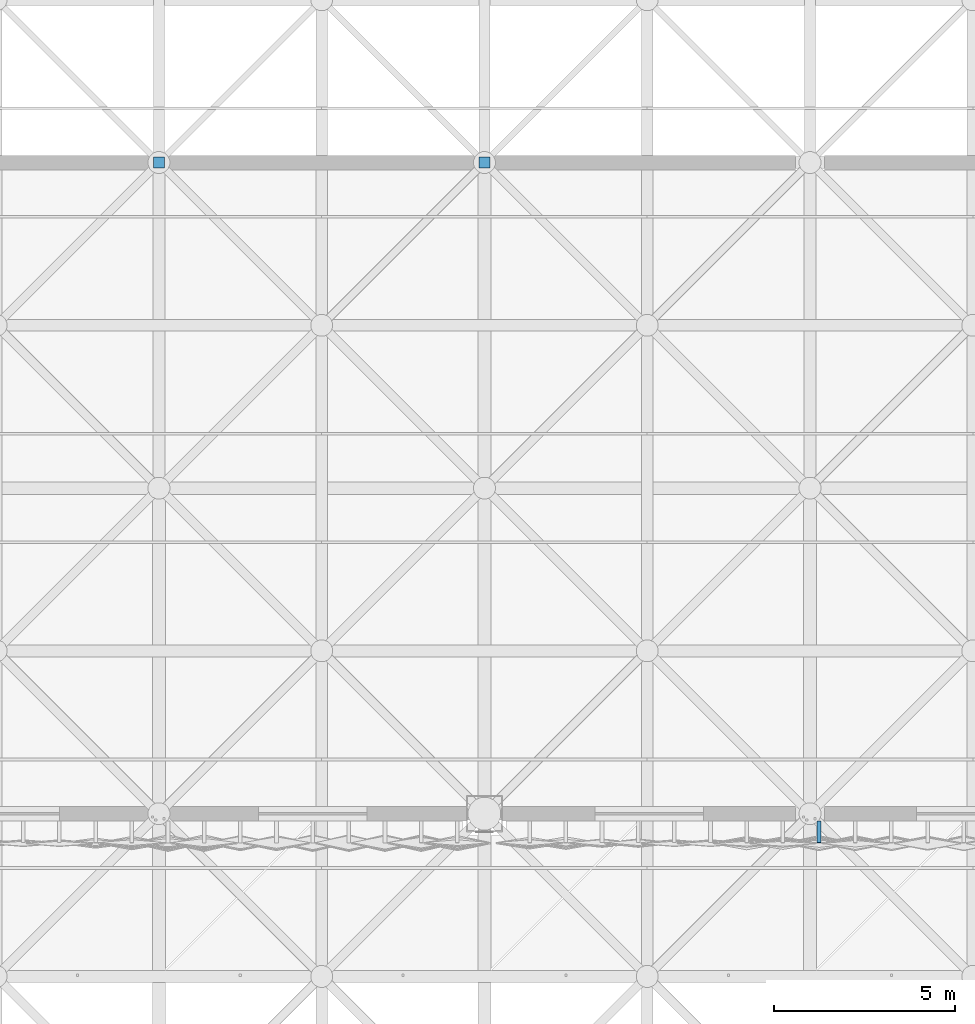
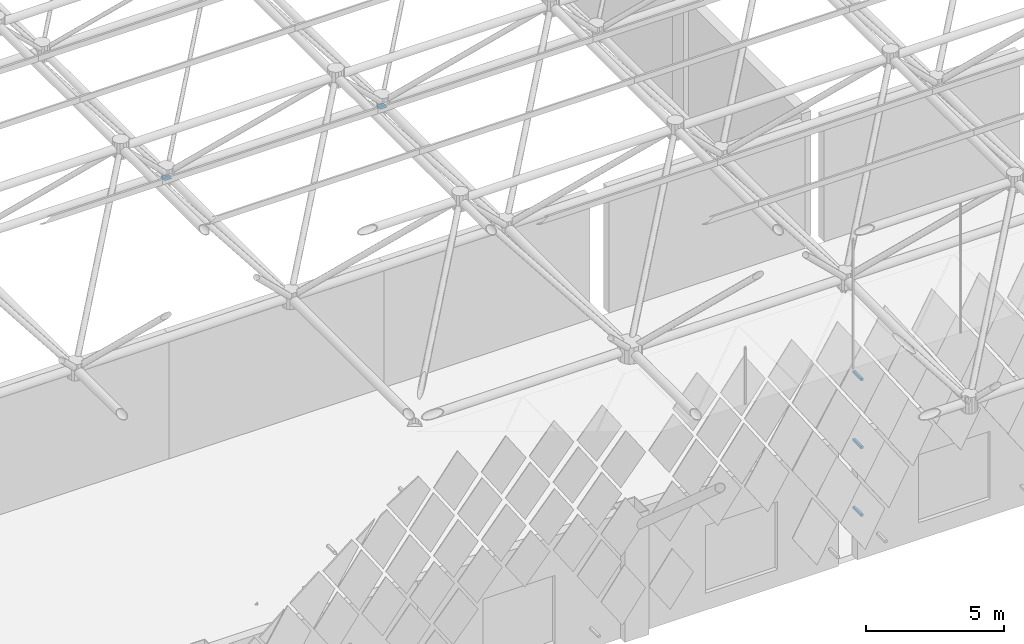
# One storey, part 369 of 437: 5 discrete accessories.
"""IFC4 building model written with IfcOpenShell, lengths in metres."""

from ifc_helpers import new_model, si_unit, direction, frame, origin, origin_2d, place, context, subcontext, project, spatial, polyline, rectangle, outline, extrude, material, layer, layer_set, type_object, element, save


model = new_model("IFC4")

# Units and contexts
model_context = context("Model", 3, precision=1e-05, world=origin(), true_north=direction((0.0, 1.0)))
body_context = subcontext(model_context, "Body", "Model", "MODEL_VIEW")
ifc_project = project(units=[si_unit("LENGTHUNIT", "METRE"), si_unit("AREAUNIT", "SQUARE_METRE"), si_unit("VOLUMEUNIT", "CUBIC_METRE"), si_unit("PLANEANGLEUNIT", "RADIAN"), si_unit("MASSUNIT", "GRAM", prefix="KILO")], contexts=[model_context])

# Site, building, storey
site_placement = place(None, origin())
site = spatial("IfcSite", under=ifc_project, at=site_placement, CompositionType="ELEMENT")
building_placement = place(site_placement, origin())
building = spatial("IfcBuilding", under=site, at=building_placement, Name="Opaline Strait Convention Centre", CompositionType="ELEMENT")
storey_placement = place(building_placement, frame((0.0, 0.0, 11.5)))
storey = spatial("IfcBuildingStorey", under=building, at=storey_placement, Name="L02", CompositionType="ELEMENT", Elevation=11.5)

# Discrete accessories
ifc_material = material(Name="Steel Q355B", Category="steel")
ifc_layer = layer(ifc_material, 0.02001953125)
ifc_layer_set = layer_set([ifc_layer], Name="Steel Q355B")
discrete_accessory_type_1 = type_object("IfcDiscreteAccessoryType", Name="Cast-in anchor plate 300 x 300 x 20", PredefinedType="ANCHORPLATE", material=ifc_layer_set)
for number, where, z_axis, x_axis, name in (
    (1, (180.0, 72.0, 12.305419921875), (0.0, 0.0, 1.0), (1.0, 0.0, 0.0), "Cast-in anchor plate at the Hall south wall, web ends at 180"),
    (2, (189.0, 72.0, 12.305419921875), (0.0, 0.0, 1.0), (1.0, 0.0, 0.0), "Cast-in anchor plate at the Hall south wall, web ends at 189"),
):
    element("IfcDiscreteAccessory", number, at=place(storey_placement, frame(where, z_axis=z_axis, x_axis=x_axis)), inside=storey, type_object=discrete_accessory_type_1, Name=name, PredefinedType="ANCHORPLATE", context=body_context, shape_type="SweptSolid", body=[
        extrude(rectangle(XDim=0.300048828125, YDim=0.300048828125, at=origin_2d()), origin(), (0.0, 0.0, 1.0), 0.02001953125),
    ])
discrete_accessory_type_2 = type_object("IfcDiscreteAccessoryType", Name="Tile bracket 100x100 steel", PredefinedType="BRACKET", material=ifc_material)
discrete_accessory_1_placement = place(storey_placement, frame((198.199951171875, 53.800048828125, 2.39208984375), z_axis=(1.0, 0.0, 0.0), x_axis=(0.0, 1.0, 0.0)))
element("IfcDiscreteAccessory", 3, at=discrete_accessory_1_placement, inside=storey, type_object=discrete_accessory_type_2, Name="Tile bracket XT16 S", PredefinedType="BRACKET", context=body_context, shape_type="SweptSolid", body=[
    extrude(outline(polyline([(0.0, -0.050048828125), (0.0, 0.050048828125), (-0.593017578125, 0.050048828125), (-0.60693359375, -0.050048828125), (0.0, -0.050048828125)])), origin(), (0.0, 0.0, 1.0), 0.10009765625),
])
discrete_accessory_2_placement = place(storey_placement, frame((198.199951171875, 53.800048828125, 5.39208984375), z_axis=(1.0, 0.0, 0.0), x_axis=(0.0, 1.0, 0.0)))
element("IfcDiscreteAccessory", 4, at=discrete_accessory_2_placement, inside=storey, type_object=discrete_accessory_type_2, Name="Tile bracket XT13 S", PredefinedType="BRACKET", context=body_context, shape_type="SweptSolid", body=[
    extrude(outline(polyline([(0.0, -0.050048828125), (0.0, 0.050048828125), (-0.59423828125, 0.050048828125), (-0.605712890625, -0.050048828125), (0.0, -0.050048828125)])), origin(), (0.0, 0.0, 1.0), 0.10009765625),
])
discrete_accessory_3_placement = place(storey_placement, frame((198.199951171875, 53.800048828125, 8.39208984375), z_axis=(1.0, 0.0, 0.0), x_axis=(0.0, 1.0, 0.0)))
element("IfcDiscreteAccessory", 5, at=discrete_accessory_3_placement, inside=storey, type_object=discrete_accessory_type_2, Name="Tile bracket XT09 S", PredefinedType="BRACKET", context=body_context, shape_type="SweptSolid", body=[
    extrude(outline(polyline([(0.0, -0.050048828125), (0.0, 0.050048828125), (-0.595947265625, 0.050048828125), (-0.60400390625, -0.050048828125), (0.0, -0.050048828125)])), origin(), (0.0, 0.0, 1.0), 0.10009765625),
])

save(model, "model.ifc")
